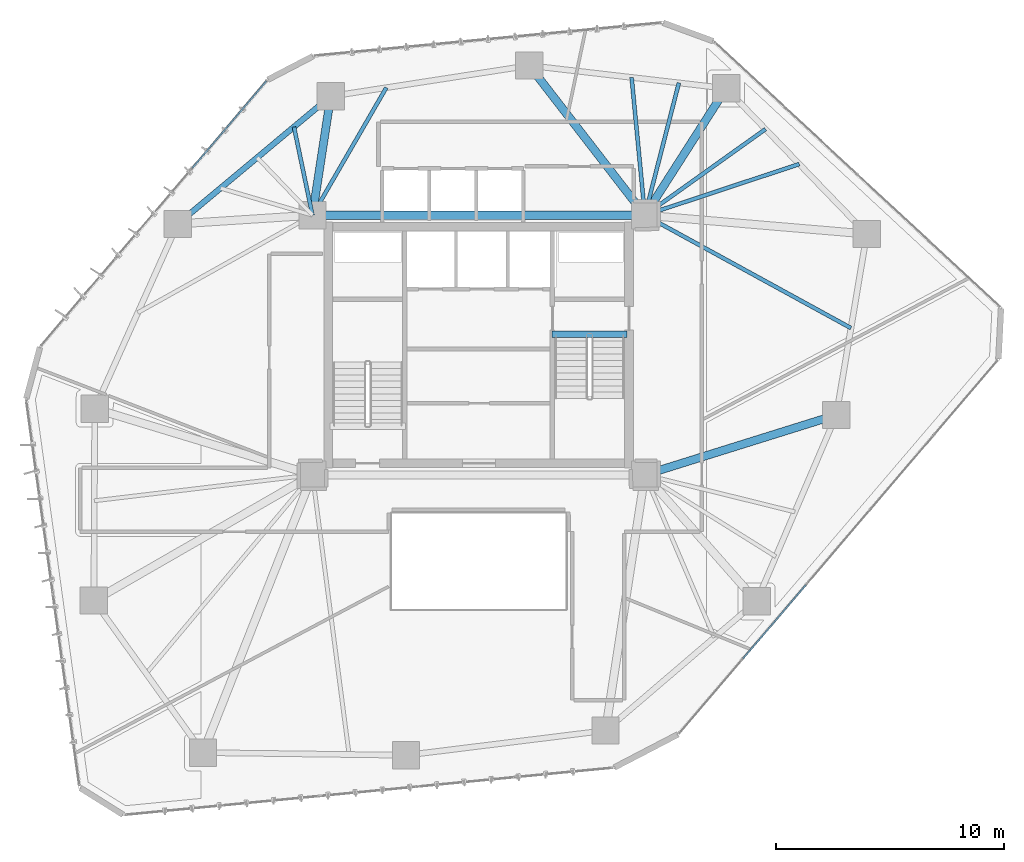
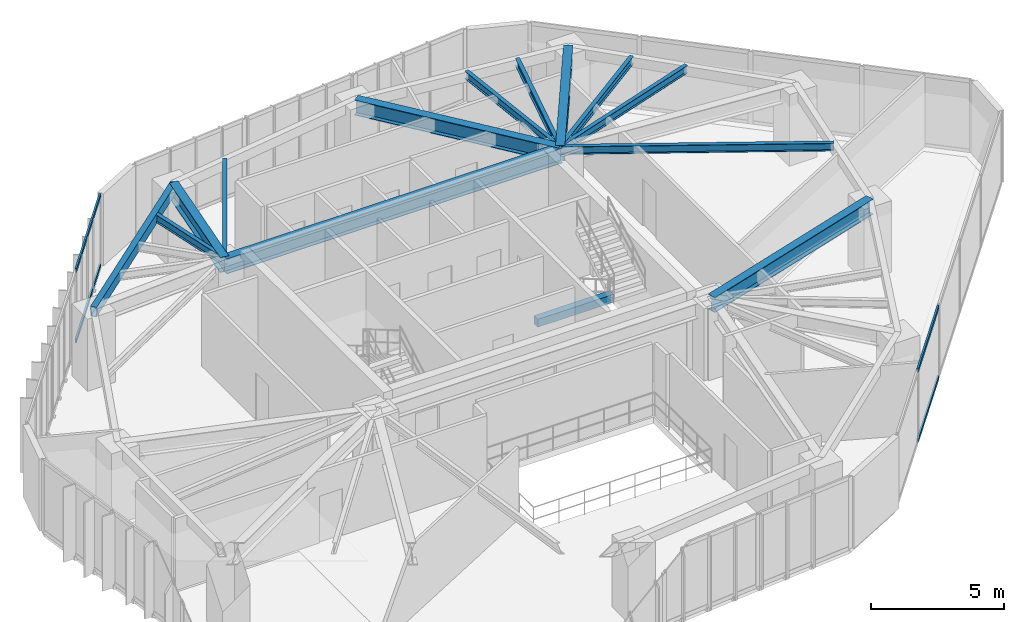
# One storey, part 11 of 22: 14 beams, 4 members, 2 elements without a shape of their own.
"""IFC4 building model written with IfcOpenShell, lengths in metres."""

from ifc_helpers import new_model, si_unit, direction, frame, origin, origin_2d, place, context, subcontext, project, spatial, rectangle, hollow_rectangle, i_section, extrude, source, transform, mapped, material, layer, layer_set, material_profile, profile_set, type_object, type_shapes, element, aggregate, save


model = new_model("IFC4")

# Units and contexts
model_context = context("Model", 3, precision=1e-05, world=origin(), true_north=direction((0.0, 1.0)))
body_context = subcontext(model_context, "Body", "Model", "MODEL_VIEW")
ifc_project = project(units=[si_unit("LENGTHUNIT", "METRE"), si_unit("AREAUNIT", "SQUARE_METRE"), si_unit("VOLUMEUNIT", "CUBIC_METRE"), si_unit("PLANEANGLEUNIT", "RADIAN"), si_unit("MASSUNIT", "GRAM", prefix="KILO")], contexts=[model_context])

# Site, building, storey
site_placement = place(None, origin())
site = spatial("IfcSite", under=ifc_project, at=site_placement, CompositionType="ELEMENT")
building_placement = place(site_placement, origin())
building = spatial("IfcBuilding", under=site, at=building_placement, Name="Talar Marvaseh", CompositionType="ELEMENT")
storey_placement = place(building_placement, frame((0.0, 0.0, 107.39990234375)))
storey = spatial("IfcBuildingStorey", under=building, at=storey_placement, Name="L27", CompositionType="ELEMENT", Elevation=107.39990234375)

# Beams
ifc_material_1 = material(Name="Concrete C40/50", Category="concrete")
ifc_material_profile_1 = material_profile(ifc_material_1, rectangle(XDim=0.300048828125, YDim=0.360107421875, at=origin_2d()), Name="RC300x360")
ifc_profile_set_1 = profile_set([ifc_material_profile_1], Name="Concrete C40/50")
beam_type_1 = type_object("IfcBeamType", Name="Concrete Stair Landing Trimmer Beam RC300x360", PredefinedType="SPANDREL", material=ifc_profile_set_1)
beam_1_placement = place(storey_placement, frame((29.219970703125, 31.669921875, -0.179931640625), z_axis=(1.0, 0.0, 0.0), x_axis=(0.0, 1.0, 0.0)))
element("IfcBeam", 1, at=beam_1_placement, inside=storey, type_object=beam_type_1, Name="L27 ST-2 Stair Nosing Trimmer Beam", PredefinedType="SPANDREL", context=body_context, shape_type="SweptSolid", body=[
    extrude(rectangle(XDim=0.300048828125, YDim=0.360107421875, at=origin_2d()), origin(), (0.0, 0.0, 1.0), 3.300048828125),
])
ifc_material_2 = material(Name="Steel S355", Category="steel")
ifc_material_profile_2 = material_profile(ifc_material_2, hollow_rectangle(XDim=0.25, YDim=0.449951171875, WallThickness=0.01611328125, at=origin_2d()), Name="RHS450x250x16")
ifc_profile_set_2 = profile_set([ifc_material_profile_2], Name="Steel S355")
beam_type_2 = type_object("IfcBeamType", Name="Zone 2 Perimeter Spandrel Beam RHS450x250x16", PredefinedType="SPANDREL", material=ifc_profile_set_2)
beam_2_placement = place(storey_placement, frame((12.780029296875, 36.51708984375, 3.085205078125), z_axis=(0.76793081465, 0.640532796905, 0.0), x_axis=(-0.640532796905, 0.76793081465, 0.0)))
element("IfcBeam", 2, at=beam_2_placement, inside=storey, type_object=beam_type_2, Name="L27 Zone 2 Perimeter Spandrel Beam RHS450x250x16", PredefinedType="SPANDREL", context=body_context, shape_type="SweptSolid", body=[
    extrude(hollow_rectangle(XDim=0.25, YDim=0.449951171875, WallThickness=0.01611328125, at=origin_2d()), origin(), (0.0, 0.0, 1.0), 8.751953125),
])
ifc_material_profile_3 = material_profile(ifc_material_2, i_section(OverallWidth=0.35498046875, OverallDepth=0.695068359375, WebThickness=0.015380859375, FlangeThickness=0.02490234375, at=origin_2d()), Name="W690x217")
ifc_profile_set_3 = profile_set([ifc_material_profile_3], Name="Steel S355")
beam_type_3 = type_object("IfcBeamType", Name="Zone 2 Radial Floor Girder W690x217", PredefinedType="BEAM", material=ifc_profile_set_3)
beam_3_placement = place(storey_placement, frame((18.699951171875, 36.89990234375, 2.962646484375), z_axis=(1.0, 0.0, 0.0), x_axis=(0.0, 1.0, 0.0)))
element("IfcBeam", 3, at=beam_3_placement, inside=storey, type_object=beam_type_3, Name="L27 Zone 2 Radial Floor Girder W690x217", PredefinedType="BEAM", context=body_context, shape_type="SweptSolid", body=[
    extrude(i_section(OverallWidth=0.35498046875, OverallDepth=0.695068359375, WebThickness=0.015380859375, FlangeThickness=0.02490234375, at=origin_2d()), origin(), (0.0, 0.0, 1.0), 14.60009765625),
])
beam_4_placement = place(storey_placement, frame((36.865966796875, 42.470947265625, 2.962646484375), z_axis=(-0.539101874952, -0.842240564461, 0.0), x_axis=(0.842240564461, -0.539101874952, 0.0)))
element("IfcBeam", 4, at=beam_4_placement, inside=storey, type_object=beam_type_3, Name="L27 Zone 2 Radial Floor Girder W690x217", PredefinedType="BEAM", context=body_context, shape_type="SweptSolid", body=[
    extrude(i_section(OverallWidth=0.35498046875, OverallDepth=0.695068359375, WebThickness=0.015380859375, FlangeThickness=0.02490234375, at=origin_2d()), origin(), (0.0, 0.0, 1.0), 6.614501953125),
])
beam_5_placement = place(storey_placement, frame((41.708984375, 28.1279296875, 2.962646484375), z_axis=(-0.954475540106, -0.298289194138, 0.0), x_axis=(0.298289194138, -0.954475540106, 0.0)))
element("IfcBeam", 5, at=beam_5_placement, inside=storey, type_object=beam_type_3, Name="L27 Zone 2 Radial Floor Girder W690x217", PredefinedType="BEAM", context=body_context, shape_type="SweptSolid", body=[
    extrude(i_section(OverallWidth=0.35498046875, OverallDepth=0.695068359375, WebThickness=0.015380859375, FlangeThickness=0.02490234375, at=origin_2d()), origin(), (0.0, 0.0, 1.0), 8.81005859375),
])
beam_6_placement = place(storey_placement, frame((19.5009765625, 42.123046875, 2.962646484375), z_axis=(-0.151588471466, -0.98844369355, 0.0), x_axis=(0.98844369355, -0.151588471466, 0.0)))
element("IfcBeam", 6, at=beam_6_placement, inside=storey, type_object=beam_type_3, Name="L27 Zone 2 Radial Floor Girder W690x217", PredefinedType="BEAM", context=body_context, shape_type="SweptSolid", body=[
    extrude(i_section(OverallWidth=0.35498046875, OverallDepth=0.695068359375, WebThickness=0.015380859375, FlangeThickness=0.02490234375, at=origin_2d()), origin(), (0.0, 0.0, 1.0), 5.2841796875),
])
beam_7_placement = place(storey_placement, frame((28.221923828125, 43.471923828125, 2.962646484375), z_axis=(0.611428258763, -0.791299870079, 0.0), x_axis=(0.791299870079, 0.611428258763, 0.0)))
element("IfcBeam", 7, at=beam_7_placement, inside=storey, type_object=beam_type_3, Name="L27 Zone 2 Radial Floor Girder W690x217", PredefinedType="BEAM", context=body_context, shape_type="SweptSolid", body=[
    extrude(i_section(OverallWidth=0.35498046875, OverallDepth=0.695068359375, WebThickness=0.015380859375, FlangeThickness=0.02490234375, at=origin_2d()), origin(), (0.0, 0.0, 1.0), 8.305419921875),
])
ifc_material_profile_4 = material_profile(ifc_material_2, i_section(OverallWidth=0.172119140625, OverallDepth=0.35791015625, WebThickness=0.0078125, FlangeThickness=0.01318359375, at=origin_2d()), Name="W360x57")
ifc_profile_set_4 = profile_set([ifc_material_profile_4], Name="Steel S355")
beam_type_4 = type_object("IfcBeamType", Name="Zone 2 Secondary Floor Joist W360x57", PredefinedType="JOIST", material=ifc_profile_set_4)
beam_8_placement = place(storey_placement, frame((38.595703125, 40.680419921875, 3.131103515625), z_axis=(-0.813885558782, -0.581025212195, 0.0), x_axis=(0.581025212195, -0.813885558782, 0.0)))
element("IfcBeam", 8, at=beam_8_placement, inside=storey, type_object=beam_type_4, Name="L27 Zone 2 Secondary Floor Joist W360x57", PredefinedType="JOIST", context=body_context, shape_type="SweptSolid", body=[
    extrude(i_section(OverallWidth=0.172119140625, OverallDepth=0.35791015625, WebThickness=0.0078125, FlangeThickness=0.01318359375, at=origin_2d()), origin(), (0.0, 0.0, 1.0), 6.506591796875),
])
beam_9_placement = place(storey_placement, frame((40.07861328125, 39.1455078125, 3.131103515625), z_axis=(-0.949266314022, -0.314473313754, 0.0), x_axis=(0.314473313754, -0.949266314022, 0.0)))
element("IfcBeam", 9, at=beam_9_placement, inside=storey, type_object=beam_type_4, Name="L27 Zone 2 Secondary Floor Joist W360x57", PredefinedType="JOIST", context=body_context, shape_type="SweptSolid", body=[
    extrude(i_section(OverallWidth=0.172119140625, OverallDepth=0.35791015625, WebThickness=0.0078125, FlangeThickness=0.01318359375, at=origin_2d()), origin(), (0.0, 0.0, 1.0), 7.140869140625),
])
beam_10_placement = place(storey_placement, frame((42.349853515625, 31.943115234375, 3.131103515625), z_axis=(-0.877057817553, 0.480384829766, 0.0), x_axis=(-0.480384829766, -0.877057817553, 0.0)))
element("IfcBeam", 10, at=beam_10_placement, inside=storey, type_object=beam_type_4, Name="L27 Zone 2 Secondary Floor Joist W360x57", PredefinedType="JOIST", context=body_context, shape_type="SweptSolid", body=[
    extrude(i_section(OverallWidth=0.172119140625, OverallDepth=0.35791015625, WebThickness=0.0078125, FlangeThickness=0.01318359375, at=origin_2d()), origin(), (0.0, 0.0, 1.0), 10.318359375),
])
beam_11_placement = place(storey_placement, frame((17.887939453125, 40.777587890625, 3.131103515625), z_axis=(0.204960633597, -0.978770217505, 0.0), x_axis=(0.978770217505, 0.204960633597, 0.0)))
element("IfcBeam", 11, at=beam_11_placement, inside=storey, type_object=beam_type_4, Name="L27 Zone 2 Secondary Floor Joist W360x57", PredefinedType="JOIST", context=body_context, shape_type="SweptSolid", body=[
    extrude(i_section(OverallWidth=0.172119140625, OverallDepth=0.35791015625, WebThickness=0.0078125, FlangeThickness=0.01318359375, at=origin_2d()), origin(), (0.0, 0.0, 1.0), 3.9619140625),
])
beam_12_placement = place(storey_placement, frame((21.94287109375, 42.500732421875, 3.131103515625), z_axis=(-0.501074932228, -0.865403901246, 0.0), x_axis=(0.865403901246, -0.501074932228, 0.0)))
element("IfcBeam", 12, at=beam_12_placement, inside=storey, type_object=beam_type_4, Name="L27 Zone 2 Secondary Floor Joist W360x57", PredefinedType="JOIST", context=body_context, shape_type="SweptSolid", body=[
    extrude(i_section(OverallWidth=0.172119140625, OverallDepth=0.35791015625, WebThickness=0.0078125, FlangeThickness=0.01318359375, at=origin_2d()), origin(), (0.0, 0.0, 1.0), 6.471923828125),
])
beam_13_placement = place(storey_placement, frame((32.716796875, 42.951416015625, 3.131103515625), z_axis=(0.095936604223, -0.995387446159, 0.0), x_axis=(0.995387446159, 0.095936604223, 0.0)))
element("IfcBeam", 13, at=beam_13_placement, inside=storey, type_object=beam_type_4, Name="L27 Zone 2 Secondary Floor Joist W360x57", PredefinedType="JOIST", context=body_context, shape_type="SweptSolid", body=[
    extrude(i_section(OverallWidth=0.172119140625, OverallDepth=0.35791015625, WebThickness=0.0078125, FlangeThickness=0.01318359375, at=origin_2d()), origin(), (0.0, 0.0, 1.0), 6.07958984375),
])
beam_14_placement = place(storey_placement, frame((34.79150390625, 42.711181640625, 3.131103515625), z_axis=(-0.248591710753, -0.968608363243, 0.0), x_axis=(0.968608363243, -0.248591710753, 0.0)))
element("IfcBeam", 14, at=beam_14_placement, inside=storey, type_object=beam_type_4, Name="L27 Zone 2 Secondary Floor Joist W360x57", PredefinedType="JOIST", context=body_context, shape_type="SweptSolid", body=[
    extrude(i_section(OverallWidth=0.172119140625, OverallDepth=0.35791015625, WebThickness=0.0078125, FlangeThickness=0.01318359375, at=origin_2d()), origin(), (0.0, 0.0, 1.0), 5.99951171875),
])

# Curtain wall, members
ifc_material_3 = material(Name="Architectural Aluminium", Category="aluminium")
ifc_layer = layer(ifc_material_3, 0.199951171875)
ifc_layer_set = layer_set([ifc_layer], Name="Architectural Aluminium")
curtain_wall_type = type_object("IfcCurtainWallType", Name="Unitised Acoustic Library Curtain Wall Z2", PredefinedType="NOTDEFINED", material=ifc_layer_set)
curtain_wall_1_placement = place(storey_placement, origin())
curtain_wall_1 = element("IfcCurtainWall", 15, at=curtain_wall_1_placement, inside=storey, type_object=curtain_wall_type, Name="L27 Unitised Acoustic Library Curtain Wall Z2", PredefinedType="NOTDEFINED")
ifc_material_profile_5 = material_profile(ifc_material_3, hollow_rectangle(XDim=0.074951171875, YDim=0.179931640625, WallThickness=0.0048828125, at=origin_2d()), Name="RHS180x75x5")
ifc_profile_set_5 = profile_set([ifc_material_profile_5], Name="Architectural Aluminium")
member_type = type_object("IfcMemberType", Name="Unitised Curtain Wall Transom RHS180x75x5", PredefinedType="USERDEFINED", material=ifc_profile_set_5)
shared_shape_1 = source(origin(), body_context, "Body", "SweptSolid", [
    extrude(hollow_rectangle(XDim=0.074951171875, YDim=0.179931640625, WallThickness=0.0048828125, at=origin_2d()), origin(), (0.0, 0.0, 1.0), 5.017578125),
])
member_1_placement = place(storey_placement, frame((13.41943359375, 38.966064453125, 0.03759765625), z_axis=(0.648540597388, 0.761180066436, 0.0), x_axis=(-0.761180066436, 0.648540597388, 0.0)))
member_1 = element("IfcMember", 16, at=member_1_placement, type_object=member_type, Name="CW-Z2 transom 3.1", ObjectType="TRANSOM", PredefinedType="USERDEFINED", context=body_context, shape_type="MappedRepresentation", body=[
    mapped(shared_shape_1, transform((0.0, 0.0, 0.0), x_axis=(1.0, 0.0, 0.0), y_axis=(0.0, 1.0, 0.0), z_axis=(0.0, 0.0, 1.0), scale=1.0)),
])
member_2_placement = place(storey_placement, frame((13.41943359375, 38.966064453125, 3.272705078125), z_axis=(0.648540597388, 0.761180066436, 0.0), x_axis=(-0.761180066436, 0.648540597388, 0.0)))
member_2 = element("IfcMember", 17, at=member_2_placement, type_object=member_type, Name="CW-Z2 transom 3.2", ObjectType="TRANSOM", PredefinedType="USERDEFINED", context=body_context, shape_type="MappedRepresentation", body=[
    mapped(shared_shape_1, transform((0.0, 0.0, 0.0), x_axis=(1.0, 0.0, 0.0), y_axis=(0.0, 1.0, 0.0), z_axis=(0.0, 0.0, 1.0), scale=1.0)),
])
aggregate(curtain_wall_1, [member_1, member_2])

curtain_wall_2_placement = place(storey_placement, origin())
curtain_wall_2 = element("IfcCurtainWall", 18, at=curtain_wall_2_placement, inside=storey, type_object=curtain_wall_type, Name="L27 Unitised Acoustic Library Curtain Wall Z2", PredefinedType="NOTDEFINED")
shared_shape_2 = source(origin(), body_context, "Body", "SweptSolid", [
    extrude(hollow_rectangle(XDim=0.074951171875, YDim=0.179931640625, WallThickness=0.0048828125, at=origin_2d()), origin(), (0.0, 0.0, 1.0), 4.24853515625),
])
type_shapes(member_type, [shared_shape_1, shared_shape_2])
member_3_placement = place(storey_placement, frame((40.36572265625, 20.657958984375, 0.03759765625), z_axis=(-0.649569597535, -0.760302135968, 0.0), x_axis=(0.760302135968, -0.649569597535, 0.0)))
member_3 = element("IfcMember", 19, at=member_3_placement, type_object=member_type, Name="CW-Z2 transom 4.1", ObjectType="TRANSOM", PredefinedType="USERDEFINED", context=body_context, shape_type="MappedRepresentation", body=[
    mapped(shared_shape_2, transform((0.0, 0.0, 0.0), x_axis=(1.0, 0.0, 0.0), y_axis=(0.0, 1.0, 0.0), z_axis=(0.0, 0.0, 1.0), scale=1.0)),
])
member_4_placement = place(storey_placement, frame((40.36572265625, 20.657958984375, 3.272705078125), z_axis=(-0.649569597535, -0.760302135968, 0.0), x_axis=(0.760302135968, -0.649569597535, 0.0)))
member_4 = element("IfcMember", 20, at=member_4_placement, type_object=member_type, Name="CW-Z2 transom 4.2", ObjectType="TRANSOM", PredefinedType="USERDEFINED", context=body_context, shape_type="MappedRepresentation", body=[
    mapped(shared_shape_2, transform((0.0, 0.0, 0.0), x_axis=(1.0, 0.0, 0.0), y_axis=(0.0, 1.0, 0.0), z_axis=(0.0, 0.0, 1.0), scale=1.0)),
])
aggregate(curtain_wall_2, [member_3, member_4])

save(model, "model.ifc")
